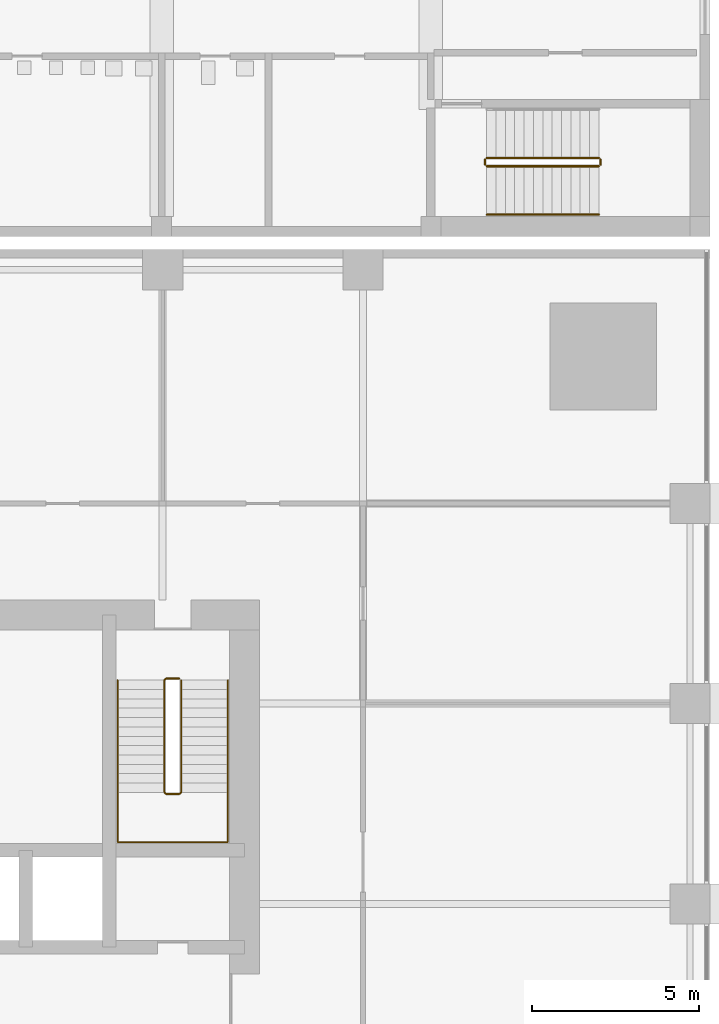
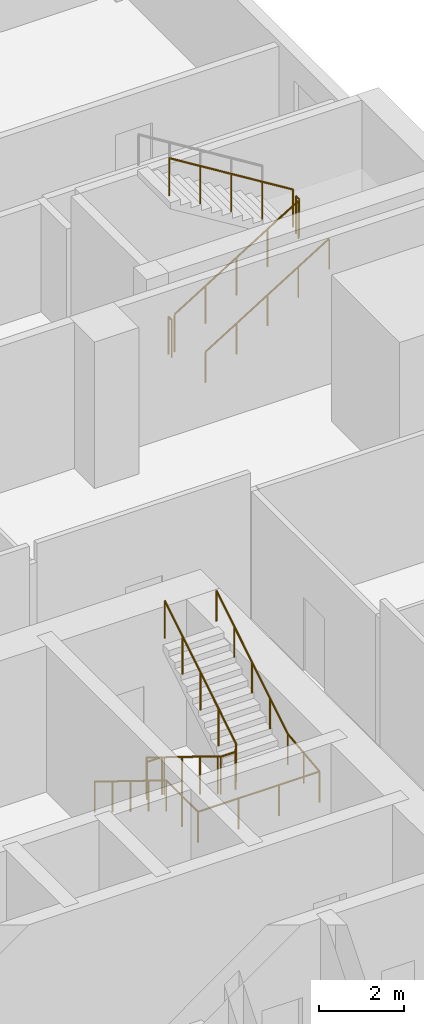
# One storey, part 23 of 25: 7 railings.
"""IFC4 building model written with IfcOpenShell, lengths in metres."""

import ifcopenshell
import ifcopenshell.guid

model = None  # the IFC model being written
_history = None  # IfcOwnerHistory: only IFC2X3 demands one
_inside = {}  # id of a spatial element -> (the spatial element, [elements in it])
_under = {}  # id of a project, library or spatial element -> (it, [spatial elements below it])
_declared = {}  # id of a project -> (the project, [libraries it declares])
_typed = {}  # id of a type object -> (the type object, [elements of that type])
_made_of = {}  # id of a material, layer set ... -> (it, [elements and type objects made of it])


def new_model(schema):
    """Start an empty IFC model of exactly this schema.

    Asked for "IFC4X3", IfcOpenShell would pick the latest addendum, in which some entities
    have other attributes; the version numbers below select the first issue.
    IFC2X3 requires an IfcOwnerHistory on every rooted entity: one is made here for all.
    """
    global model, _history
    if schema == "IFC4X3":
        model = ifcopenshell.file(schema_version=(4, 3, 0, 0))
    else:
        model = ifcopenshell.file(schema=schema)
    _inside.clear()
    _under.clear()
    _declared.clear()
    _typed.clear()
    _made_of.clear()
    _history = None
    if model.schema == "IFC2X3":
        org = make("IfcOrganization", Name="unknown")
        user = make(
            "IfcPersonAndOrganization",
            ThePerson=make("IfcPerson", FamilyName="unknown"),
            TheOrganization=org,
        )
        app = make(
            "IfcApplication",
            ApplicationDeveloper=org,
            Version="unknown",
            ApplicationFullName="unknown",
            ApplicationIdentifier="unknown",
        )
        _history = make(
            "IfcOwnerHistory",
            OwningUser=user,
            OwningApplication=app,
            ChangeAction="ADDED",
            CreationDate=0,
        )
    return model


def make(cls, **values):
    """One entity of the class cls with the attributes given. An attribute that is None is left unset."""
    return model.create_entity(
        cls, **{name: value for name, value in values.items() if value is not None}
    )


def rooted(cls, **values):
    """An entity with a GlobalId (a new one), such as an element, a storey or a relation."""
    return make(cls, GlobalId=ifcopenshell.guid.new(), OwnerHistory=_history, **values)


def si_unit(unit_type, name, prefix=None):
    """IfcSIUnit, for example si_unit("LENGTHUNIT", "METRE", prefix="MILLI")."""
    return make("IfcSIUnit", UnitType=unit_type, Prefix=prefix, Name=name)


def assignment(units):
    """IfcUnitAssignment: the units of a project."""
    return None if units is None else make("IfcUnitAssignment", Units=units)


def point(xyz):
    """IfcCartesianPoint."""
    return None if xyz is None else make("IfcCartesianPoint", Coordinates=xyz)


def direction(xyz):
    """IfcDirection."""
    return None if xyz is None else make("IfcDirection", DirectionRatios=xyz)


def frame(location, z_axis=None, x_axis=None):
    """IfcAxis2Placement3D, a coordinate frame: its origin and axes. An axis left out is left unset."""
    return make(
        "IfcAxis2Placement3D",
        Location=point(location),
        Axis=direction(z_axis),
        RefDirection=direction(x_axis),
    )


def frame_2d(location, x_axis=None):
    """IfcAxis2Placement2D, a coordinate frame in the plane: its origin and x axis."""
    return make(
        "IfcAxis2Placement2D", Location=point(location), RefDirection=direction(x_axis)
    )


def origin():
    """The frame at (0, 0, 0) with its axes left unset."""
    return frame((0.0, 0.0, 0.0))


def origin_2d():
    """The frame at (0, 0) in the plane with its x axis left unset."""
    return frame_2d((0.0, 0.0))


def place(relative_to, where):
    """IfcLocalPlacement: puts the frame where relative to a parent placement (None: the world)."""
    return make(
        "IfcLocalPlacement", PlacementRelTo=relative_to, RelativePlacement=where
    )


def context(
    kind, dimensions, precision=None, world=None, true_north=None, identifier=None
):
    """IfcGeometricRepresentationContext, for example the 3D "Model" context."""
    return make(
        "IfcGeometricRepresentationContext",
        ContextIdentifier=identifier,
        ContextType=kind,
        CoordinateSpaceDimension=dimensions,
        Precision=precision,
        WorldCoordinateSystem=world,
        TrueNorth=true_north,
    )


def subcontext(parent, identifier, kind, view, scale=None):
    """IfcGeometricRepresentationSubContext, for example "Body" below "Model"."""
    return make(
        "IfcGeometricRepresentationSubContext",
        ContextIdentifier=identifier,
        ContextType=kind,
        ParentContext=parent,
        TargetScale=scale,
        TargetView=view,
    )


def project(units=None, contexts=None):
    """IfcProject with its units and contexts."""
    return rooted(
        "IfcProject",
        Name="project",
        RepresentationContexts=contexts,
        UnitsInContext=assignment(units),
    )


def spatial(cls, under=None, at=None, **own):
    """A site, building, storey or space (cls), placed at a placement, below another one or the project."""
    s = rooted(cls, ObjectPlacement=at, **own)
    if under is not None:
        _under.setdefault(under.id(), (under, []))[1].append(s)
    return s


def profile(cls, at=None, kind="AREA", **sizes):
    """A parametric profile (cls). Its sizes go by their IFC names, for example OverallWidth=200.0."""
    return make(cls, ProfileType=kind, Position=at, **sizes)


def circle(**sizes):
    """IfcCircleProfileDef."""
    return profile("IfcCircleProfileDef", **sizes)


def extrude(swept, where, along, depth):
    """IfcExtrudedAreaSolid: the profile swept, set in the frame where, extruded along a direction by depth."""
    return make(
        "IfcExtrudedAreaSolid",
        SweptArea=swept,
        Position=where,
        ExtrudedDirection=direction(along),
        Depth=depth,
    )


def shape(context_of_items, identifier, shape_type, items):
    """IfcShapeRepresentation: the items that make up one representation, for example the "Body"."""
    return make(
        "IfcShapeRepresentation",
        ContextOfItems=context_of_items,
        RepresentationIdentifier=identifier,
        RepresentationType=shape_type,
        Items=items,
    )


def material(Name=None, Category=None):
    """IfcMaterial."""
    return make("IfcMaterial", Name=Name, Category=Category)


def made_of(thing, what):
    """Note that an element or type object is made of a material, layer set ...; save() writes the relation."""
    if what is not None:
        _made_of.setdefault(what.id(), (what, []))[1].append(thing)
    return thing


def type_object(cls, material=None, **own):
    """A type object (cls), such as IfcWallType, which elements share."""
    return made_of(rooted(cls, **own), material)


def element(
    cls,
    number,
    at=None,
    inside=None,
    cuts=None,
    type_object=None,
    material=None,
    context=None,
    identifier="Body",
    shape_type=None,
    held_by="IfcProductDefinitionShape",
    body=None,
    shapes=None,
    **own,
):
    """One element of the class cls, such as IfcWall. Its Tag is "e" and its number.

    at: its placement. inside: the storey or other place that contains it. cuts: it is an
    opening in that element (IfcRelVoidsElement). A single representation is given by context,
    identifier, shape_type and body (its items); several are given by shapes. held_by: the class
    of the entity that holds the representations. save() writes the other relations.
    """
    e = rooted(cls, Tag="e%d" % number, ObjectPlacement=at, **own)
    if body is not None:
        shapes = [shape(context, identifier, shape_type, body)]
    if shapes is not None:
        e.Representation = make(held_by, Representations=shapes)
    if inside is not None:
        _inside.setdefault(inside.id(), (inside, []))[1].append(e)
    if cuts is not None:
        rooted(
            "IfcRelVoidsElement", RelatingBuildingElement=cuts, RelatedOpeningElement=e
        )
    if type_object is not None:
        _typed.setdefault(type_object.id(), (type_object, []))[1].append(e)
    return made_of(e, material)


def aggregate(whole, parts):
    """IfcRelAggregates: a whole, such as a stair, and the parts it consists of."""
    return rooted("IfcRelAggregates", RelatingObject=whole, RelatedObjects=parts)


def save(model, path):
    """Write the relations noted so far, then the file.

    IfcRelAggregates (storeys below a building ...), IfcRelContainedInSpatialStructure (elements
    in a storey), IfcRelDefinesByType, IfcRelAssociatesMaterial and IfcRelDeclares: one each for
    every whole, place, type object, material and project.
    """
    for whole, parts in _under.values():
        aggregate(whole, parts)
    for where, things in _inside.values():
        rooted(
            "IfcRelContainedInSpatialStructure",
            RelatedElements=things,
            RelatingStructure=where,
        )
    for kind, things in _typed.values():
        rooted("IfcRelDefinesByType", RelatedObjects=things, RelatingType=kind)
    for what, things in _made_of.values():
        rooted("IfcRelAssociatesMaterial", RelatedObjects=things, RelatingMaterial=what)
    for by, libraries in _declared.values():
        rooted("IfcRelDeclares", RelatingContext=by, RelatedDefinitions=libraries)
    model.write(path)


model = new_model("IFC4")

# Units and contexts
model_context = context("Model", 3, precision=1e-05, world=origin(), true_north=direction((0.0, 1.0)))
body_context = subcontext(model_context, "Body", "Model", "MODEL_VIEW")
ifc_project = project(units=[si_unit("LENGTHUNIT", "METRE"), si_unit("AREAUNIT", "SQUARE_METRE"), si_unit("VOLUMEUNIT", "CUBIC_METRE"), si_unit("PLANEANGLEUNIT", "RADIAN"), si_unit("MASSUNIT", "GRAM", prefix="KILO")], contexts=[model_context])

# Site, building, storey
site_placement = place(None, origin())
site = spatial("IfcSite", under=ifc_project, at=site_placement, CompositionType="ELEMENT")
building_placement = place(site_placement, origin())
building = spatial("IfcBuilding", under=site, at=building_placement, Name="Amberfall Residences", CompositionType="ELEMENT")
storey_placement = place(building_placement, frame((0.0, 0.0, 10.0)))
storey = spatial("IfcBuildingStorey", under=building, at=storey_placement, Name="L02", CompositionType="ELEMENT", Elevation=10.0)

# Railings
ifc_material_1 = material(Name="Stainless steel", Category="steel")
railing_type_1 = type_object("IfcRailingType", Name="School stair guard 1100", PredefinedType="GUARDRAIL", material=ifc_material_1)
railing_1_placement = place(storey_placement, frame((93.30810546875, 70.5, 0.173095703125)))
element("IfcRailing", 1, at=railing_1_placement, inside=storey, type_object=railing_type_1, Name="L02 SS5 stair guard 1", PredefinedType="GUARDRAIL", context=body_context, shape_type="SweptSolid", body=[
    extrude(circle(Radius=0.02392578125, at=origin_2d()), frame((0.0, 0.0, 1.076171875), z_axis=(0.850606129759, 0.0, 0.525803396734), x_axis=(0.0, 1.0, 0.0)), (0.0, 0.0, 1.0), 3.949951171875),
    extrude(circle(Radius=0.02099609375, at=origin_2d()), origin(), (0.0, 0.0, 1.0), 1.052001953125),
    extrude(circle(Radius=0.02099609375, at=origin_2d()), frame((0.83984375, 0.0, 0.519287109375)), (0.0, 0.0, 1.0), 1.052001953125),
    extrude(circle(Radius=0.02099609375, at=origin_2d()), frame((1.679931640625, 0.0, 1.03857421875)), (0.0, 0.0, 1.0), 1.052001953125),
    extrude(circle(Radius=0.02099609375, at=origin_2d()), frame((2.52001953125, 0.0, 1.5576171875)), (0.0, 0.0, 1.0), 1.052001953125),
    extrude(circle(Radius=0.02099609375, at=origin_2d()), frame((3.35986328125, 0.0, 2.076904296875)), (0.0, 0.0, 1.0), 1.052001953125),
])
railing_2_placement = place(storey_placement, frame((96.718017578125, 70.550048828125, 2.25)))
element("IfcRailing", 2, at=railing_2_placement, inside=storey, type_object=railing_type_1, Name="L02 SS5 stair guard 2", PredefinedType="GUARDRAIL", context=body_context, shape_type="SweptSolid", body=[
    extrude(circle(Radius=0.02392578125, at=origin_2d()), frame((0.0, 0.0, 1.076171875), z_axis=(0.0, 1.0, 0.0), x_axis=(-1.0, 0.0, 0.0)), (0.0, 0.0, 1.0), 0.14990234375),
    extrude(circle(Radius=0.02099609375, at=origin_2d()), origin(), (0.0, 0.0, 1.0), 1.052001953125),
    extrude(circle(Radius=0.02099609375, at=origin_2d()), frame((0.0, 0.14990234375, 0.0)), (0.0, 0.0, 1.0), 1.052001953125),
])
railing_3_placement = place(storey_placement, frame((96.66796875, 70.75, 2.423095703125)))
element("IfcRailing", 3, at=railing_3_placement, inside=storey, type_object=railing_type_1, Name="L02 SS5 stair guard 3", PredefinedType="GUARDRAIL", context=body_context, shape_type="SweptSolid", body=[
    extrude(circle(Radius=0.02392578125, at=origin_2d()), frame((0.0, 0.0, 1.076171875), z_axis=(-0.850606129759, 0.0, 0.525803396734), x_axis=(0.0, -1.0, 0.0)), (0.0, 0.0, 1.0), 3.949951171875),
    extrude(circle(Radius=0.02099609375, at=origin_2d()), origin(), (0.0, 0.0, 1.0), 1.052001953125),
    extrude(circle(Radius=0.02099609375, at=origin_2d()), frame((-0.83984375, 0.0, 0.519287109375)), (0.0, 0.0, 1.0), 1.052001953125),
    extrude(circle(Radius=0.02099609375, at=origin_2d()), frame((-1.679931640625, 0.0, 1.03857421875)), (0.0, 0.0, 1.0), 1.052001953125),
    extrude(circle(Radius=0.02099609375, at=origin_2d()), frame((-2.52001953125, 0.0, 1.5576171875)), (0.0, 0.0, 1.0), 1.052001953125),
    extrude(circle(Radius=0.02099609375, at=origin_2d()), frame((-3.35986328125, 0.0, 2.076904296875)), (0.0, 0.0, 1.0), 1.052001953125),
])
railing_4_placement = place(storey_placement, frame((93.258056640625, 70.550048828125, 0.0)))
element("IfcRailing", 4, at=railing_4_placement, inside=storey, type_object=railing_type_1, Name="L02 SS5 stair guard 4", PredefinedType="GUARDRAIL", context=body_context, shape_type="SweptSolid", body=[
    extrude(circle(Radius=0.02392578125, at=origin_2d()), frame((0.0, 0.0, 1.076171875), z_axis=(0.0, 1.0, 0.0), x_axis=(-1.0, 0.0, 0.0)), (0.0, 0.0, 1.0), 0.14990234375),
    extrude(circle(Radius=0.02099609375, at=origin_2d()), origin(), (0.0, 0.0, 1.0), 1.052001953125),
    extrude(circle(Radius=0.02099609375, at=origin_2d()), frame((0.0, 0.14990234375, 0.0)), (0.0, 0.0, 1.0), 1.052001953125),
])
railing_type_2 = type_object("IfcRailingType", Name="School stair handrail", PredefinedType="HANDRAIL", material=ifc_material_1)
railing_5_placement = place(storey_placement, frame((93.30810546875, 69.050048828125, 0.173095703125)))
element("IfcRailing", 5, at=railing_5_placement, inside=storey, type_object=railing_type_2, Name="L02 SS5 stair handrail 1", PredefinedType="HANDRAIL", context=body_context, shape_type="SweptSolid", body=[
    extrude(circle(Radius=0.02392578125, at=origin_2d()), frame((0.0, 0.0, 0.8759765625), z_axis=(0.850606129759, 0.0, 0.525803396734), x_axis=(0.0, 1.0, 0.0)), (0.0, 0.0, 1.0), 3.949951171875),
    extrude(circle(Radius=0.02099609375, at=origin_2d()), origin(), (0.0, 0.0, 1.0), 0.851806640625),
    extrude(circle(Radius=0.02099609375, at=origin_2d()), frame((0.83984375, 0.0, 0.519287109375)), (0.0, 0.0, 1.0), 0.851806640625),
    extrude(circle(Radius=0.02099609375, at=origin_2d()), frame((1.679931640625, 0.0, 1.03857421875)), (0.0, 0.0, 1.0), 0.851806640625),
    extrude(circle(Radius=0.02099609375, at=origin_2d()), frame((2.52001953125, 0.0, 1.5576171875)), (0.0, 0.0, 1.0), 0.851806640625),
    extrude(circle(Radius=0.02099609375, at=origin_2d()), frame((3.35986328125, 0.0, 2.076904296875)), (0.0, 0.0, 1.0), 0.851806640625),
])
ifc_material_2 = material(Name="Stainless steel 316", Category="steel")
railing_type_3 = type_object("IfcRailingType", Name="Stair guard 1100", PredefinedType="GUARDRAIL", material=ifc_material_2)
railing_6_placement = place(storey_placement, frame((84.10009765625, 55.14990234375, 0.0)))
element("IfcRailing", 6, at=railing_6_placement, inside=storey, type_object=railing_type_3, Name="L02 stair 3 guard", PredefinedType="GUARDRAIL", context=body_context, shape_type="SweptSolid", body=[
    extrude(circle(Radius=0.02392578125, at=origin_2d()), frame((0.0, 0.0, 1.076171875), z_axis=(-1.0, 0.0, 0.0), x_axis=(0.0, -1.0, 0.0)), (0.0, 0.0, 1.0), 0.400146484375),
    extrude(circle(Radius=0.02392578125, at=origin_2d()), frame((-0.400146484375, 0.0, 1.076171875), z_axis=(-0.267723051232, -0.266417085129, 0.925929967433), x_axis=(0.705375805398, -0.708833529934, 0.0)), (0.0, 0.0, 1.0), 0.18701171875),
    extrude(circle(Radius=0.02392578125, at=origin_2d()), frame((-0.4501953125, -0.0498046875, 1.2490234375), z_axis=(0.0, -0.850623216509, 0.525775754039), x_axis=(1.0, 0.0, 0.0)), (0.0, 0.0, 1.0), 3.9501953125),
    extrude(circle(Radius=0.02392578125, at=origin_2d()), frame((-0.4501953125, -3.409912109375, 3.326171875), z_axis=(0.707106781187, -0.707106781187, 0.0), x_axis=(0.707106781187, 0.707106781187, 0.0)), (0.0, 0.0, 1.0), 0.07080078125),
    extrude(circle(Radius=0.02392578125, at=origin_2d()), frame((-0.400146484375, -3.4599609375, 3.326171875), z_axis=(1.0, 0.0, 0.0), x_axis=(0.0, 1.0, 0.0)), (0.0, 0.0, 1.0), 0.400146484375),
    extrude(circle(Radius=0.02392578125, at=origin_2d()), frame((0.0, -3.4599609375, 3.326171875), z_axis=(0.266417085129, 0.267723051232, 0.925929967433), x_axis=(-0.708833529934, 0.705375805398, 0.0)), (0.0, 0.0, 1.0), 0.18701171875),
    extrude(circle(Radius=0.02392578125, at=origin_2d()), frame((0.0498046875, -3.409912109375, 3.4990234375), z_axis=(0.0, 0.850623216509, 0.525775754039), x_axis=(-1.0, 0.0, 0.0)), (0.0, 0.0, 1.0), 3.9501953125),
    extrude(circle(Radius=0.02099609375, at=origin_2d()), origin(), (0.0, 0.0, 1.0), 1.052001953125),
    extrude(circle(Radius=0.02099609375, at=origin_2d()), frame((-0.400146484375, 0.0, 0.0)), (0.0, 0.0, 1.0), 1.052001953125),
    extrude(circle(Radius=0.02099609375, at=origin_2d()), frame((-0.4501953125, -0.0498046875, 0.173095703125)), (0.0, 0.0, 1.0), 1.052001953125),
    extrude(circle(Radius=0.02099609375, at=origin_2d()), frame((-0.4501953125, -0.889892578125, 0.6923828125)), (0.0, 0.0, 1.0), 1.052001953125),
    extrude(circle(Radius=0.02099609375, at=origin_2d()), frame((-0.4501953125, -1.72998046875, 1.21142578125)), (0.0, 0.0, 1.0), 1.052001953125),
    extrude(circle(Radius=0.02099609375, at=origin_2d()), frame((-0.4501953125, -2.56982421875, 1.730712890625)), (0.0, 0.0, 1.0), 1.052001953125),
    extrude(circle(Radius=0.02099609375, at=origin_2d()), frame((-0.4501953125, -3.409912109375, 2.25)), (0.0, 0.0, 1.0), 1.052001953125),
    extrude(circle(Radius=0.02099609375, at=origin_2d()), frame((-0.400146484375, -3.4599609375, 2.25)), (0.0, 0.0, 1.0), 1.052001953125),
    extrude(circle(Radius=0.02099609375, at=origin_2d()), frame((0.0, -3.4599609375, 2.25)), (0.0, 0.0, 1.0), 1.052001953125),
    extrude(circle(Radius=0.02099609375, at=origin_2d()), frame((0.0498046875, -3.409912109375, 2.423095703125)), (0.0, 0.0, 1.0), 1.052001953125),
    extrude(circle(Radius=0.02099609375, at=origin_2d()), frame((0.0498046875, -2.56982421875, 2.9423828125)), (0.0, 0.0, 1.0), 1.052001953125),
    extrude(circle(Radius=0.02099609375, at=origin_2d()), frame((0.0498046875, -1.72998046875, 3.46142578125)), (0.0, 0.0, 1.0), 1.052001953125),
    extrude(circle(Radius=0.02099609375, at=origin_2d()), frame((0.0498046875, -0.889892578125, 3.980712890625)), (0.0, 0.0, 1.0), 1.052001953125),
    extrude(circle(Radius=0.02099609375, at=origin_2d()), frame((0.0498046875, -0.0498046875, 4.5)), (0.0, 0.0, 1.0), 1.052001953125),
])
railing_type_4 = type_object("IfcRailingType", Name="Stair handrail 900", PredefinedType="HANDRAIL", material=ifc_material_2)
railing_7_placement = place(storey_placement, frame((82.25, 55.10009765625, 0.173095703125)))
element("IfcRailing", 7, at=railing_7_placement, inside=storey, type_object=railing_type_4, Name="L02 stair 3 handrail", PredefinedType="HANDRAIL", context=body_context, shape_type="SweptSolid", body=[
    extrude(circle(Radius=0.02392578125, at=origin_2d()), frame((0.0, 0.0, 0.8759765625), z_axis=(0.0, -0.850623216509, 0.525775754039), x_axis=(1.0, 0.0, 0.0)), (0.0, 0.0, 1.0), 3.9501953125),
    extrude(circle(Radius=0.02392578125, at=origin_2d()), frame((0.0, -3.360107421875, 2.95263671875), z_axis=(0.0, -1.0, 0.0), x_axis=(1.0, 0.0, 0.0)), (0.0, 0.0, 1.0), 1.489990234375),
    extrude(circle(Radius=0.02392578125, at=origin_2d()), frame((0.0, -4.85009765625, 2.95263671875), z_axis=(1.0, 0.0, 0.0), x_axis=(0.0, 1.0, 0.0)), (0.0, 0.0, 1.0), 3.300048828125),
    extrude(circle(Radius=0.02392578125, at=origin_2d()), frame((3.300048828125, -4.85009765625, 2.95263671875), z_axis=(0.0, 0.993319533971, 0.115396288642), x_axis=(-1.0, 0.0, 0.0)), (0.0, 0.0, 1.0), 1.5),
    extrude(circle(Radius=0.02392578125, at=origin_2d()), frame((3.300048828125, -3.360107421875, 3.1259765625), z_axis=(0.0, 0.850623216509, 0.525775754039), x_axis=(-1.0, 0.0, 0.0)), (0.0, 0.0, 1.0), 3.9501953125),
    extrude(circle(Radius=0.02099609375, at=origin_2d()), origin(), (0.0, 0.0, 1.0), 0.851806640625),
    extrude(circle(Radius=0.02099609375, at=origin_2d()), frame((0.0, -0.840087890625, 0.519287109375)), (0.0, 0.0, 1.0), 0.851806640625),
    extrude(circle(Radius=0.02099609375, at=origin_2d()), frame((0.0, -1.68017578125, 1.03857421875)), (0.0, 0.0, 1.0), 0.851806640625),
    extrude(circle(Radius=0.02099609375, at=origin_2d()), frame((0.0, -2.52001953125, 1.5576171875)), (0.0, 0.0, 1.0), 0.851806640625),
    extrude(circle(Radius=0.02099609375, at=origin_2d()), frame((0.0, -3.360107421875, 2.076904296875)), (0.0, 0.0, 1.0), 0.851806640625),
    extrude(circle(Radius=0.02099609375, at=origin_2d()), frame((0.0, -4.10498046875, 2.076904296875)), (0.0, 0.0, 1.0), 0.851806640625),
    extrude(circle(Radius=0.02099609375, at=origin_2d()), frame((0.0, -4.85009765625, 2.076904296875)), (0.0, 0.0, 1.0), 0.851806640625),
    extrude(circle(Radius=0.02099609375, at=origin_2d()), frame((1.10009765625, -4.85009765625, 2.076904296875)), (0.0, 0.0, 1.0), 0.851806640625),
    extrude(circle(Radius=0.02099609375, at=origin_2d()), frame((2.199951171875, -4.85009765625, 2.076904296875)), (0.0, 0.0, 1.0), 0.851806640625),
    extrude(circle(Radius=0.02099609375, at=origin_2d()), frame((3.300048828125, -4.85009765625, 2.076904296875)), (0.0, 0.0, 1.0), 0.851806640625),
    extrude(circle(Radius=0.02099609375, at=origin_2d()), frame((3.300048828125, -4.10498046875, 2.16357421875)), (0.0, 0.0, 1.0), 0.851806640625),
    extrude(circle(Radius=0.02099609375, at=origin_2d()), frame((3.300048828125, -3.360107421875, 2.25)), (0.0, 0.0, 1.0), 0.851806640625),
    extrude(circle(Radius=0.02099609375, at=origin_2d()), frame((3.300048828125, -2.52001953125, 2.769287109375)), (0.0, 0.0, 1.0), 0.851806640625),
    extrude(circle(Radius=0.02099609375, at=origin_2d()), frame((3.300048828125, -1.68017578125, 3.28857421875)), (0.0, 0.0, 1.0), 0.851806640625),
    extrude(circle(Radius=0.02099609375, at=origin_2d()), frame((3.300048828125, -0.840087890625, 3.8076171875)), (0.0, 0.0, 1.0), 0.851806640625),
    extrude(circle(Radius=0.02099609375, at=origin_2d()), frame((3.300048828125, 0.0, 4.326904296875)), (0.0, 0.0, 1.0), 0.851806640625),
])

save(model, "model.ifc")
